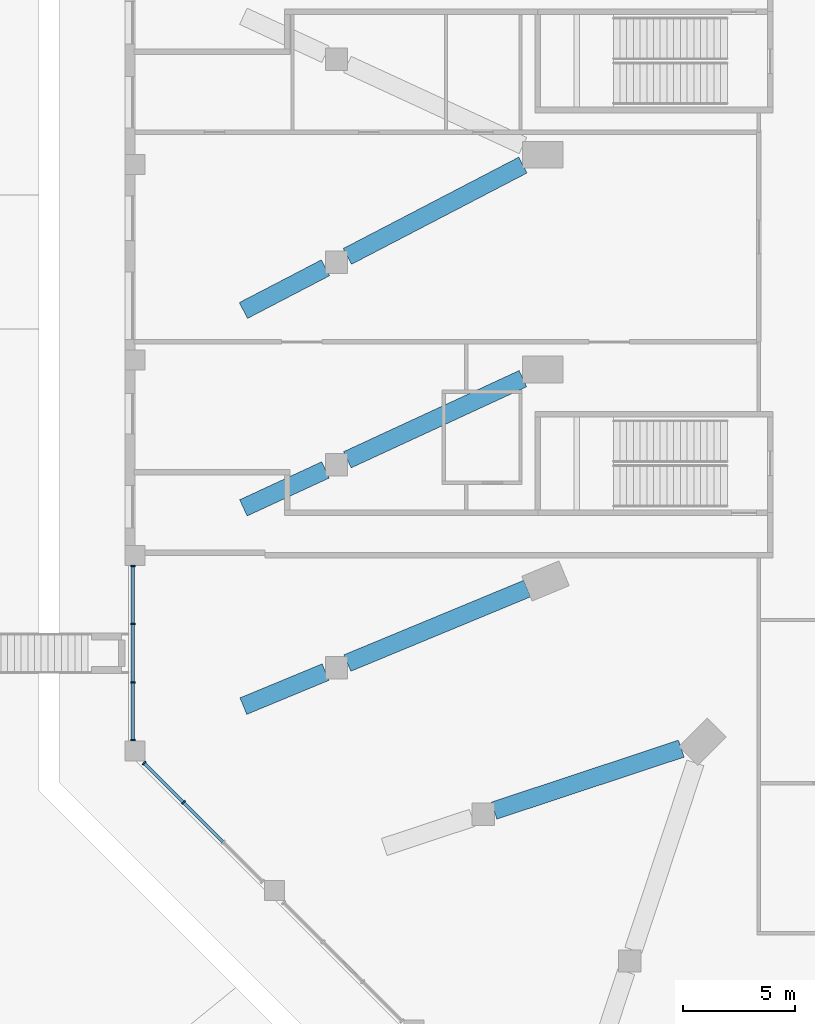
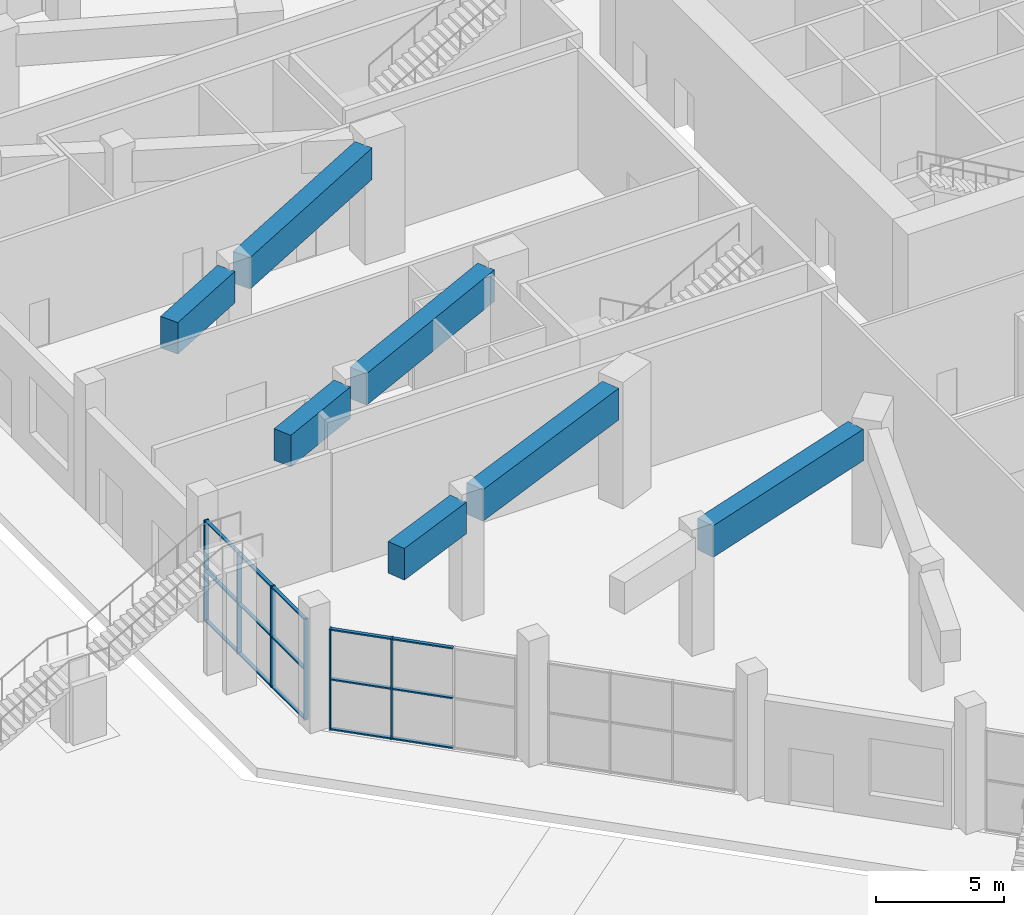
# One storey, part 4 of 36: 21 members, 7 beams, 2 elements without a shape of their own.
"""IFC4 building model written with IfcOpenShell, lengths in metres."""

from ifc_helpers import new_model, si_unit, direction, frame, origin, origin_2d, place, context, subcontext, project, spatial, rectangle, extrude, material, material_profile, profile_set, type_object, element, aggregate, save


model = new_model("IFC4")

# Units and contexts
model_context = context("Model", 3, precision=1e-05, world=origin(), true_north=direction((0.0, 1.0)))
body_context = subcontext(model_context, "Body", "Model", "MODEL_VIEW")
ifc_project = project(units=[si_unit("LENGTHUNIT", "METRE"), si_unit("AREAUNIT", "SQUARE_METRE"), si_unit("VOLUMEUNIT", "CUBIC_METRE"), si_unit("PLANEANGLEUNIT", "RADIAN"), si_unit("MASSUNIT", "GRAM", prefix="KILO")], contexts=[model_context])

# Site, building, storey
site_placement = place(None, origin())
site = spatial("IfcSite", under=ifc_project, at=site_placement, CompositionType="ELEMENT")
building_placement = place(site_placement, origin())
building = spatial("IfcBuilding", under=site, at=building_placement, Name="Msitu Wima Residences", CompositionType="ELEMENT")
storey_placement = place(building_placement, origin())
storey = spatial("IfcBuildingStorey", under=building, at=storey_placement, Name="L00", CompositionType="ELEMENT", Elevation=0.0)

# Curtain wall, members
ifc_material_1 = material(Name="Anodised aluminium, bronze finish, clear laminated low-emissivity double glazing", Category="aluminium")
curtain_wall_type = type_object("IfcCurtainWallType", Name="Curtain wall CW1 shopfront", PredefinedType="NOTDEFINED", material=ifc_material_1)
curtain_wall_1_placement = place(storey_placement, origin())
curtain_wall_1 = element("IfcCurtainWall", 1, at=curtain_wall_1_placement, inside=storey, type_object=curtain_wall_type, Name="Curtain wall CW1 L00 W4", PredefinedType="NOTDEFINED")
ifc_material_2 = material(Name="Anodised aluminium, bronze finish", Category="aluminium")
ifc_material_profile_1 = material_profile(ifc_material_2, rectangle(XDim=0.199951171875, YDim=0.06494140625, at=origin_2d()), Name="Mullion 65x200")
ifc_profile_set_1 = profile_set([ifc_material_profile_1], Name="Anodised aluminium, bronze finish")
member_type_1 = type_object("IfcMemberType", Name="Mullion CW1 65x200", PredefinedType="MULLION", material=ifc_profile_set_1)
member_1_placement = place(storey_placement, frame((-46.89990234375, -13.595947265625, 0.0), z_axis=(0.0, 0.0, 1.0), x_axis=(1.0, 0.0, 0.0)))
member_1 = element("IfcMember", 2, at=member_1_placement, type_object=member_type_1, Name="CW1 mullion 1", PredefinedType="MULLION", context=body_context, shape_type="SweptSolid", body=[
    extrude(rectangle(XDim=0.199951171875, YDim=0.06494140625, at=origin_2d()), origin(), (0.0, 0.0, 1.0), 4.800048828125),
])
member_2_placement = place(storey_placement, frame((-46.89990234375, -16.177734375, 0.0), z_axis=(0.0, 0.0, 1.0), x_axis=(1.0, 0.0, 0.0)))
member_2 = element("IfcMember", 3, at=member_2_placement, type_object=member_type_1, Name="CW1 mullion 2", PredefinedType="MULLION", context=body_context, shape_type="SweptSolid", body=[
    extrude(rectangle(XDim=0.199951171875, YDim=0.06494140625, at=origin_2d()), origin(), (0.0, 0.0, 1.0), 4.800048828125),
])
member_3_placement = place(storey_placement, frame((-46.89990234375, -18.791748046875, 0.0), z_axis=(0.0, 0.0, 1.0), x_axis=(1.0, 0.0, 0.0)))
member_3 = element("IfcMember", 4, at=member_3_placement, type_object=member_type_1, Name="CW1 mullion 3", PredefinedType="MULLION", context=body_context, shape_type="SweptSolid", body=[
    extrude(rectangle(XDim=0.199951171875, YDim=0.06494140625, at=origin_2d()), origin(), (0.0, 0.0, 1.0), 4.800048828125),
])
member_4_placement = place(storey_placement, frame((-46.89990234375, -21.373291015625, 0.0), z_axis=(0.0, 0.0, 1.0), x_axis=(1.0, 0.0, 0.0)))
member_4 = element("IfcMember", 5, at=member_4_placement, type_object=member_type_1, Name="CW1 mullion 4", PredefinedType="MULLION", context=body_context, shape_type="SweptSolid", body=[
    extrude(rectangle(XDim=0.199951171875, YDim=0.06494140625, at=origin_2d()), origin(), (0.0, 0.0, 1.0), 4.800048828125),
])

curtain_wall_2_placement = place(storey_placement, origin())
curtain_wall_2 = element("IfcCurtainWall", 6, at=curtain_wall_2_placement, inside=storey, type_object=curtain_wall_type, Name="Curtain wall CW1 L00 SW0", PredefinedType="NOTDEFINED")
member_5_placement = place(storey_placement, frame((-46.397705078125, -22.3994140625, 0.0), z_axis=(0.0, 0.0, 1.0), x_axis=(0.707106781187, 0.707106781187, 0.0)))
member_5 = element("IfcMember", 7, at=member_5_placement, type_object=member_type_1, Name="CW1 mullion 1", PredefinedType="MULLION", context=body_context, shape_type="SweptSolid", body=[
    extrude(rectangle(XDim=0.199951171875, YDim=0.06494140625, at=origin_2d()), origin(), (0.0, 0.0, 1.0), 4.800048828125),
])
member_6_placement = place(storey_placement, frame((-44.64208984375, -24.1552734375, 0.0), z_axis=(0.0, 0.0, 1.0), x_axis=(0.707106781187, 0.707106781187, 0.0)))
member_6 = element("IfcMember", 8, at=member_6_placement, type_object=member_type_1, Name="CW1 mullion 2", PredefinedType="MULLION", context=body_context, shape_type="SweptSolid", body=[
    extrude(rectangle(XDim=0.199951171875, YDim=0.06494140625, at=origin_2d()), origin(), (0.0, 0.0, 1.0), 4.800048828125),
])

# Beams
ifc_material_3 = material(Name="Concrete C60/75", Category="concrete")
ifc_material_profile_2 = material_profile(ifc_material_3, rectangle(XDim=0.800048828125, YDim=1.5, at=origin_2d()), Name="RC 800x1500")
ifc_profile_set_2 = profile_set([ifc_material_profile_2], Name="Concrete C60/75")
beam_type_1 = type_object("IfcBeamType", Name="Podium cantilever girder RC 800x1500 Concrete C60/75", PredefinedType="BEAM", material=ifc_profile_set_2)
beam_1_placement = place(storey_placement, frame((-29.46435546875, 4.337158203125, 4.89990234375), z_axis=(-0.887101077675, -0.461575213793, 0.0), x_axis=(0.461575213793, -0.887101077675, 0.0)))
element("IfcBeam", 9, at=beam_1_placement, inside=storey, type_object=beam_type_1, Name="Podium cantilever girder L01 C-W2 back-span", PredefinedType="BEAM", context=body_context, shape_type="SweptSolid", body=[
    extrude(rectangle(XDim=0.800048828125, YDim=1.5, at=origin_2d()), origin(), (0.0, 0.0, 1.0), 8.8447265625),
])
beam_2_placement = place(storey_placement, frame((-29.464111328125, -5.2109375, 4.89990234375), z_axis=(-0.907721172482, -0.419573918432, 0.0), x_axis=(0.419573918432, -0.907721172482, 0.0)))
element("IfcBeam", 10, at=beam_2_placement, inside=storey, type_object=beam_type_1, Name="Podium cantilever girder L01 C-W3 back-span", PredefinedType="BEAM", context=body_context, shape_type="SweptSolid", body=[
    extrude(rectangle(XDim=0.800048828125, YDim=1.5, at=origin_2d()), origin(), (0.0, 0.0, 1.0), 8.644287109375),
])
beam_3_placement = place(storey_placement, frame((-29.274658203125, -14.5966796875, 4.89990234375), z_axis=(-0.923886159432, -0.382667433171, 0.0), x_axis=(0.382667433171, -0.923886159432, 0.0)))
element("IfcBeam", 11, at=beam_3_placement, inside=storey, type_object=beam_type_1, Name="Podium cantilever girder L01 C-SW0 back-span", PredefinedType="BEAM", context=body_context, shape_type="SweptSolid", body=[
    extrude(rectangle(XDim=0.800048828125, YDim=1.5, at=origin_2d()), origin(), (0.0, 0.0, 1.0), 8.698486328125),
])
beam_4_placement = place(storey_placement, frame((-22.3857421875, -21.753662109375, 4.89990234375), z_axis=(-0.949351421347, -0.314216293001, 0.0), x_axis=(0.314216293001, -0.949351421347, 0.0)))
element("IfcBeam", 12, at=beam_4_placement, inside=storey, type_object=beam_type_1, Name="Podium cantilever girder L01 C-SW1 back-span", PredefinedType="BEAM", context=body_context, shape_type="SweptSolid", body=[
    extrude(rectangle(XDim=0.800048828125, YDim=1.5, at=origin_2d()), origin(), (0.0, 0.0, 1.0), 8.81494140625),
])
ifc_material_profile_3 = material_profile(ifc_material_3, rectangle(XDim=0.800048828125, YDim=1.5, at=origin_2d()), Name="RC 800x1500")
ifc_profile_set_3 = profile_set([ifc_material_profile_3], Name="Concrete C60/75")
beam_type_2 = type_object("IfcBeamType", Name="Podium cantilever girder tip RC 800x1500 Concrete C60/75", PredefinedType="BEAM", material=ifc_profile_set_3)
beam_5_placement = place(storey_placement, frame((-38.289306640625, -0.254638671875, 4.89990234375), z_axis=(-0.887114398649, -0.46154961132, 0.0), x_axis=(0.46154961132, -0.887114398649, 0.0)))
element("IfcBeam", 13, at=beam_5_placement, inside=storey, type_object=beam_type_2, Name="Podium cantilever girder L01 C-W2 cantilever", PredefinedType="BEAM", context=body_context, shape_type="SweptSolid", body=[
    extrude(rectangle(XDim=0.800048828125, YDim=1.5, at=origin_2d()), origin(), (0.0, 0.0, 1.0), 4.138671875),
])
beam_6_placement = place(storey_placement, frame((-38.2890625, -9.2900390625, 4.89990234375), z_axis=(-0.907718998306, -0.419578622089, 0.0), x_axis=(0.419578622089, -0.907718998306, 0.0)))
element("IfcBeam", 14, at=beam_6_placement, inside=storey, type_object=beam_type_2, Name="Podium cantilever girder L01 C-W3 cantilever", PredefinedType="BEAM", context=body_context, shape_type="SweptSolid", body=[
    extrude(rectangle(XDim=0.800048828125, YDim=1.5, at=origin_2d()), origin(), (0.0, 0.0, 1.0), 4.045166015625),
])
beam_7_placement = place(storey_placement, frame((-38.288818359375, -18.330322265625, 4.89990234375), z_axis=(-0.923870855056, -0.382704380924, 0.0), x_axis=(0.382704380924, -0.923870855056, 0.0)))
element("IfcBeam", 15, at=beam_7_placement, inside=storey, type_object=beam_type_2, Name="Podium cantilever girder L01 C-SW0 cantilever", PredefinedType="BEAM", context=body_context, shape_type="SweptSolid", body=[
    extrude(rectangle(XDim=0.800048828125, YDim=1.5, at=origin_2d()), origin(), (0.0, 0.0, 1.0), 3.974853515625),
])

# Member
ifc_material_profile_4 = material_profile(ifc_material_2, rectangle(XDim=0.14990234375, YDim=0.06494140625, at=origin_2d()), Name="Transom 65x150")
ifc_profile_set_4 = profile_set([ifc_material_profile_4], Name="Anodised aluminium, bronze finish")
member_type_2 = type_object("IfcMemberType", Name="Transom CW1 65x150", PredefinedType="USERDEFINED", material=ifc_profile_set_4)
member_7_placement = place(storey_placement, frame((-46.89990234375, -13.62841796875, 0.032470703125), z_axis=(0.0, -1.0, 0.0), x_axis=(1.0, 0.0, 0.0)))
member_7 = element("IfcMember", 16, at=member_7_placement, type_object=member_type_2, Name="CW1 transom 1.1", ObjectType="TRANSOM", PredefinedType="USERDEFINED", context=body_context, shape_type="SweptSolid", body=[
    extrude(rectangle(XDim=0.14990234375, YDim=0.06494140625, at=origin_2d()), origin(), (0.0, 0.0, 1.0), 2.5166015625),
])

member_8_placement = place(storey_placement, frame((-46.89990234375, -13.62841796875, 2.39990234375), z_axis=(0.0, -1.0, 0.0), x_axis=(1.0, 0.0, 0.0)))
member_8 = element("IfcMember", 17, at=member_8_placement, type_object=member_type_2, Name="CW1 transom 1.2", ObjectType="TRANSOM", PredefinedType="USERDEFINED", context=body_context, shape_type="SweptSolid", body=[
    extrude(rectangle(XDim=0.14990234375, YDim=0.06494140625, at=origin_2d()), origin(), (0.0, 0.0, 1.0), 2.5166015625),
])

member_9_placement = place(storey_placement, frame((-46.89990234375, -13.62841796875, 4.767578125), z_axis=(0.0, -1.0, 0.0), x_axis=(1.0, 0.0, 0.0)))
member_9 = element("IfcMember", 18, at=member_9_placement, type_object=member_type_2, Name="CW1 transom 1.3", ObjectType="TRANSOM", PredefinedType="USERDEFINED", context=body_context, shape_type="SweptSolid", body=[
    extrude(rectangle(XDim=0.14990234375, YDim=0.06494140625, at=origin_2d()), origin(), (0.0, 0.0, 1.0), 2.5166015625),
])

member_10_placement = place(storey_placement, frame((-46.89990234375, -16.210205078125, 0.032470703125), z_axis=(0.0, -1.0, 0.0), x_axis=(1.0, 0.0, 0.0)))
member_10 = element("IfcMember", 19, at=member_10_placement, type_object=member_type_2, Name="CW1 transom 2.1", ObjectType="TRANSOM", PredefinedType="USERDEFINED", context=body_context, shape_type="SweptSolid", body=[
    extrude(rectangle(XDim=0.14990234375, YDim=0.06494140625, at=origin_2d()), origin(), (0.0, 0.0, 1.0), 2.549072265625),
])

member_11_placement = place(storey_placement, frame((-46.89990234375, -16.210205078125, 2.39990234375), z_axis=(0.0, -1.0, 0.0), x_axis=(1.0, 0.0, 0.0)))
member_11 = element("IfcMember", 20, at=member_11_placement, type_object=member_type_2, Name="CW1 transom 2.2", ObjectType="TRANSOM", PredefinedType="USERDEFINED", context=body_context, shape_type="SweptSolid", body=[
    extrude(rectangle(XDim=0.14990234375, YDim=0.06494140625, at=origin_2d()), origin(), (0.0, 0.0, 1.0), 2.549072265625),
])

member_12_placement = place(storey_placement, frame((-46.89990234375, -16.210205078125, 4.767578125), z_axis=(0.0, -1.0, 0.0), x_axis=(1.0, 0.0, 0.0)))
member_12 = element("IfcMember", 21, at=member_12_placement, type_object=member_type_2, Name="CW1 transom 2.3", ObjectType="TRANSOM", PredefinedType="USERDEFINED", context=body_context, shape_type="SweptSolid", body=[
    extrude(rectangle(XDim=0.14990234375, YDim=0.06494140625, at=origin_2d()), origin(), (0.0, 0.0, 1.0), 2.549072265625),
])

member_13_placement = place(storey_placement, frame((-46.89990234375, -18.82421875, 0.032470703125), z_axis=(0.0, -1.0, 0.0), x_axis=(1.0, 0.0, 0.0)))
member_13 = element("IfcMember", 22, at=member_13_placement, type_object=member_type_2, Name="CW1 transom 3.1", ObjectType="TRANSOM", PredefinedType="USERDEFINED", context=body_context, shape_type="SweptSolid", body=[
    extrude(rectangle(XDim=0.14990234375, YDim=0.06494140625, at=origin_2d()), origin(), (0.0, 0.0, 1.0), 2.5166015625),
])

member_14_placement = place(storey_placement, frame((-46.89990234375, -18.82421875, 2.39990234375), z_axis=(0.0, -1.0, 0.0), x_axis=(1.0, 0.0, 0.0)))
member_14 = element("IfcMember", 23, at=member_14_placement, type_object=member_type_2, Name="CW1 transom 3.2", ObjectType="TRANSOM", PredefinedType="USERDEFINED", context=body_context, shape_type="SweptSolid", body=[
    extrude(rectangle(XDim=0.14990234375, YDim=0.06494140625, at=origin_2d()), origin(), (0.0, 0.0, 1.0), 2.5166015625),
])

member_15_placement = place(storey_placement, frame((-46.89990234375, -18.82421875, 4.767578125), z_axis=(0.0, -1.0, 0.0), x_axis=(1.0, 0.0, 0.0)))
member_15 = element("IfcMember", 24, at=member_15_placement, type_object=member_type_2, Name="CW1 transom 3.3", ObjectType="TRANSOM", PredefinedType="USERDEFINED", context=body_context, shape_type="SweptSolid", body=[
    extrude(rectangle(XDim=0.14990234375, YDim=0.06494140625, at=origin_2d()), origin(), (0.0, 0.0, 1.0), 2.5166015625),
])

aggregate(curtain_wall_1, [member_1, member_2, member_3, member_4, member_7, member_8, member_9, member_10, member_11, member_12, member_13, member_14, member_15])

member_16_placement = place(storey_placement, frame((-46.374755859375, -22.422607421875, 0.032470703125), z_axis=(0.707106781187, -0.707106781187, 0.0), x_axis=(0.707106781187, 0.707106781187, 0.0)))
member_16 = element("IfcMember", 25, at=member_16_placement, type_object=member_type_2, Name="CW1 transom 1.1", ObjectType="TRANSOM", PredefinedType="USERDEFINED", context=body_context, shape_type="SweptSolid", body=[
    extrude(rectangle(XDim=0.14990234375, YDim=0.06494140625, at=origin_2d()), origin(), (0.0, 0.0, 1.0), 2.41796875),
])

member_17_placement = place(storey_placement, frame((-46.374755859375, -22.422607421875, 2.39990234375), z_axis=(0.707106781187, -0.707106781187, 0.0), x_axis=(0.707106781187, 0.707106781187, 0.0)))
member_17 = element("IfcMember", 26, at=member_17_placement, type_object=member_type_2, Name="CW1 transom 1.2", ObjectType="TRANSOM", PredefinedType="USERDEFINED", context=body_context, shape_type="SweptSolid", body=[
    extrude(rectangle(XDim=0.14990234375, YDim=0.06494140625, at=origin_2d()), origin(), (0.0, 0.0, 1.0), 2.41796875),
])

member_18_placement = place(storey_placement, frame((-46.374755859375, -22.422607421875, 4.767578125), z_axis=(0.707106781187, -0.707106781187, 0.0), x_axis=(0.707106781187, 0.707106781187, 0.0)))
member_18 = element("IfcMember", 27, at=member_18_placement, type_object=member_type_2, Name="CW1 transom 1.3", ObjectType="TRANSOM", PredefinedType="USERDEFINED", context=body_context, shape_type="SweptSolid", body=[
    extrude(rectangle(XDim=0.14990234375, YDim=0.06494140625, at=origin_2d()), origin(), (0.0, 0.0, 1.0), 2.41796875),
])

member_19_placement = place(storey_placement, frame((-44.619140625, -24.17822265625, 0.032470703125), z_axis=(0.707156593224, -0.70705696564, 0.0), x_axis=(0.70705696564, 0.707156593224, 0.0)))
member_19 = element("IfcMember", 28, at=member_19_placement, type_object=member_type_2, Name="CW1 transom 2.1", ObjectType="TRANSOM", PredefinedType="USERDEFINED", context=body_context, shape_type="SweptSolid", body=[
    extrude(rectangle(XDim=0.14990234375, YDim=0.06494140625, at=origin_2d()), origin(), (0.0, 0.0, 1.0), 2.450439453125),
])

member_20_placement = place(storey_placement, frame((-44.619140625, -24.17822265625, 2.39990234375), z_axis=(0.707156593224, -0.70705696564, 0.0), x_axis=(0.70705696564, 0.707156593224, 0.0)))
member_20 = element("IfcMember", 29, at=member_20_placement, type_object=member_type_2, Name="CW1 transom 2.2", ObjectType="TRANSOM", PredefinedType="USERDEFINED", context=body_context, shape_type="SweptSolid", body=[
    extrude(rectangle(XDim=0.14990234375, YDim=0.06494140625, at=origin_2d()), origin(), (0.0, 0.0, 1.0), 2.450439453125),
])

member_21_placement = place(storey_placement, frame((-44.619140625, -24.17822265625, 4.767578125), z_axis=(0.707156593224, -0.70705696564, 0.0), x_axis=(0.70705696564, 0.707156593224, 0.0)))
member_21 = element("IfcMember", 30, at=member_21_placement, type_object=member_type_2, Name="CW1 transom 2.3", ObjectType="TRANSOM", PredefinedType="USERDEFINED", context=body_context, shape_type="SweptSolid", body=[
    extrude(rectangle(XDim=0.14990234375, YDim=0.06494140625, at=origin_2d()), origin(), (0.0, 0.0, 1.0), 2.450439453125),
])

aggregate(curtain_wall_2, [member_5, member_6, member_16, member_17, member_18, member_19, member_20, member_21])

save(model, "model.ifc")
